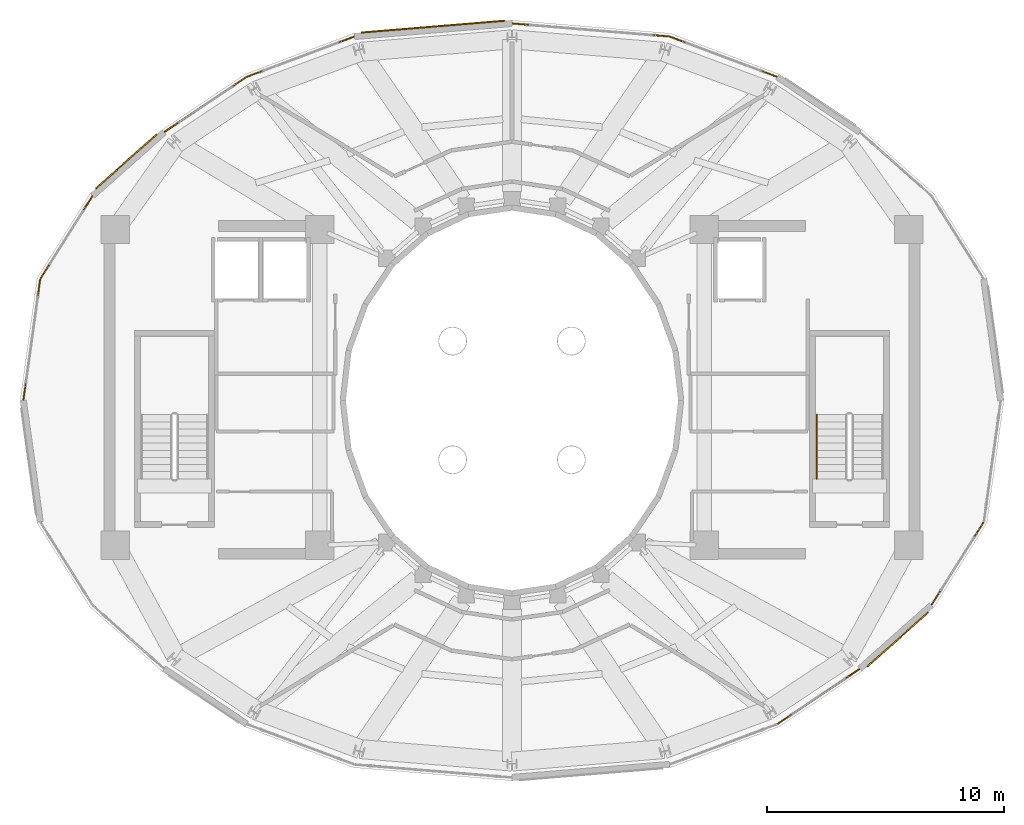
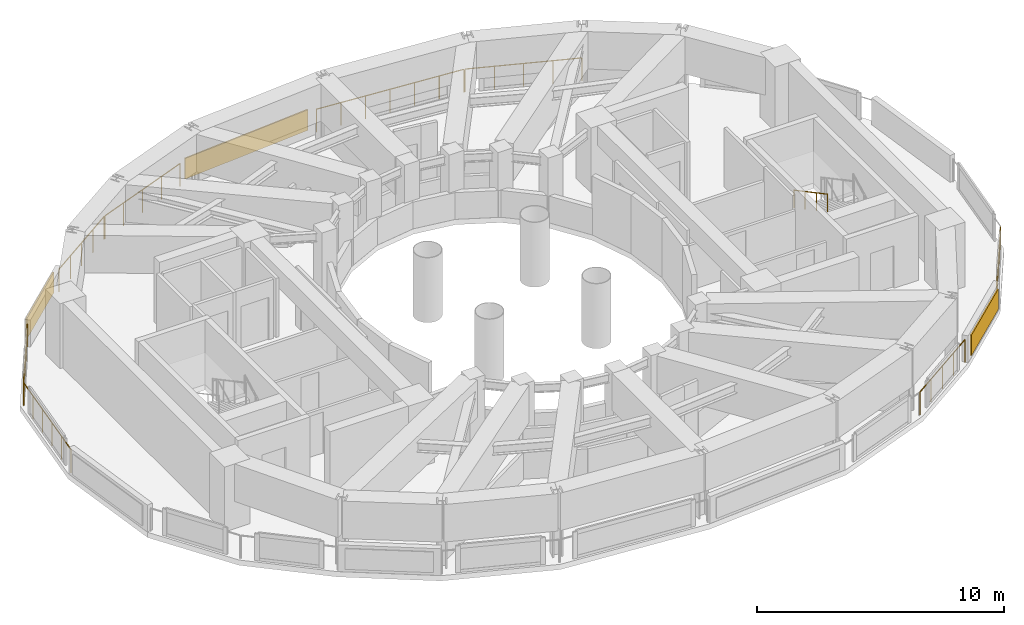
# One storey, part 17 of 18: 9 railings, 3 shading devices.
"""IFC4 building model written with IfcOpenShell, lengths in metres."""

from ifc_helpers import new_model, si_unit, direction, frame, origin, origin_2d, place, context, subcontext, project, spatial, rectangle, circle, extrude, material, layer, layer_set, type_object, element, save


model = new_model("IFC4")

# Units and contexts
model_context = context("Model", 3, precision=1e-05, world=origin(), true_north=direction((0.0, 1.0)))
body_context = subcontext(model_context, "Body", "Model", "MODEL_VIEW")
ifc_project = project(units=[si_unit("LENGTHUNIT", "METRE"), si_unit("AREAUNIT", "SQUARE_METRE"), si_unit("VOLUMEUNIT", "CUBIC_METRE"), si_unit("PLANEANGLEUNIT", "RADIAN"), si_unit("MASSUNIT", "GRAM", prefix="KILO")], contexts=[model_context])

# Site, building, storey
site_placement = place(None, origin())
site = spatial("IfcSite", under=ifc_project, at=site_placement, CompositionType="ELEMENT")
building_placement = place(site_placement, origin())
building = spatial("IfcBuilding", under=site, at=building_placement, Name="Solvane Sanctuary Tower", CompositionType="ELEMENT")
storey_placement = place(building_placement, frame((0.0, 0.0, 266.800048828125)))
storey = spatial("IfcBuildingStorey", under=building, at=storey_placement, Name="L81", CompositionType="ELEMENT", Elevation=266.800048828125)

# Railings
ifc_material_1 = material(Name="Architectural Stainless Steel 316", Category="steel")
railing_type_1 = type_object("IfcRailingType", Name="Railing GR-BALC-1150", PredefinedType="BALUSTRADE", material=ifc_material_1)
railing_1_placement = place(storey_placement, frame((43.14697265625, 36.637451171875, 0.0)))
element("IfcRailing", 1, at=railing_1_placement, inside=storey, type_object=railing_type_1, Name="L81 Crown Curtain-Wall Sill Guard 04", PredefinedType="BALUSTRADE", context=body_context, shape_type="SweptSolid", body=[
    extrude(circle(Radius=0.02392578125, at=origin_2d()), frame((0.0, 0.0, 1.1259765625), z_axis=(-0.936446352834, 0.35081081549, 0.0), x_axis=(-0.35081081549, -0.936446352834, 0.0)), (0.0, 0.0, 1.0), 4.79296875),
    extrude(circle(Radius=0.02099609375, at=origin_2d()), origin(), (0.0, 0.0, 1.0), 1.101806640625),
    extrude(circle(Radius=0.02099609375, at=origin_2d()), frame((-1.1220703125, 0.42041015625, 0.0)), (0.0, 0.0, 1.0), 1.101806640625),
    extrude(circle(Radius=0.02099609375, at=origin_2d()), frame((-2.244140625, 0.8408203125, 0.0)), (0.0, 0.0, 1.0), 1.101806640625),
    extrude(circle(Radius=0.02099609375, at=origin_2d()), frame((-3.3662109375, 1.260986328125, 0.0)), (0.0, 0.0, 1.0), 1.101806640625),
    extrude(circle(Radius=0.02099609375, at=origin_2d()), frame((-4.48828125, 1.681396484375, 0.0)), (0.0, 0.0, 1.0), 1.101806640625),
])
railing_2_placement = place(storey_placement, frame((38.6005859375, 38.331787109375, 0.0)))
element("IfcRailing", 2, at=railing_2_placement, inside=storey, type_object=railing_type_1, Name="L81 Crown Curtain-Wall Sill Guard 05", PredefinedType="BALUSTRADE", context=body_context, shape_type="SweptSolid", body=[
    extrude(circle(Radius=0.02392578125, at=origin_2d()), frame((0.0, 0.0, 1.1259765625), z_axis=(-0.996594108696, 0.082463219145, 0.0), x_axis=(-0.082463219145, -0.996594108696, 0.0)), (0.0, 0.0, 1.0), 6.59326171875),
    extrude(circle(Radius=0.02099609375, at=origin_2d()), origin(), (0.0, 0.0, 1.0), 1.101806640625),
    extrude(circle(Radius=0.02099609375, at=origin_2d()), frame((-1.09521484375, 0.090576171875, 0.0)), (0.0, 0.0, 1.0), 1.101806640625),
    extrude(circle(Radius=0.02099609375, at=origin_2d()), frame((-2.190185546875, 0.18115234375, 0.0)), (0.0, 0.0, 1.0), 1.101806640625),
    extrude(circle(Radius=0.02099609375, at=origin_2d()), frame((-3.285400390625, 0.27197265625, 0.0)), (0.0, 0.0, 1.0), 1.101806640625),
    extrude(circle(Radius=0.02099609375, at=origin_2d()), frame((-4.380615234375, 0.362548828125, 0.0)), (0.0, 0.0, 1.0), 1.101806640625),
    extrude(circle(Radius=0.02099609375, at=origin_2d()), frame((-5.4755859375, 0.453125, 0.0)), (0.0, 0.0, 1.0), 1.101806640625),
    extrude(circle(Radius=0.02099609375, at=origin_2d()), frame((-6.57080078125, 0.543701171875, 0.0)), (0.0, 0.0, 1.0), 1.101806640625),
])
railing_3_placement = place(storey_placement, frame((25.34130859375, 38.31884765625, 0.0)))
element("IfcRailing", 3, at=railing_3_placement, inside=storey, type_object=railing_type_1, Name="L81 Crown Curtain-Wall Sill Guard 07", PredefinedType="BALUSTRADE", context=body_context, shape_type="SweptSolid", body=[
    extrude(circle(Radius=0.02392578125, at=origin_2d()), frame((0.0, 0.0, 1.1259765625), z_axis=(-0.936446352834, -0.35081081549, 0.0), x_axis=(0.35081081549, -0.936446352834, 0.0)), (0.0, 0.0, 1.0), 4.79296875),
    extrude(circle(Radius=0.02099609375, at=origin_2d()), origin(), (0.0, 0.0, 1.0), 1.101806640625),
    extrude(circle(Radius=0.02099609375, at=origin_2d()), frame((-1.1220703125, -0.42041015625, 0.0)), (0.0, 0.0, 1.0), 1.101806640625),
    extrude(circle(Radius=0.02099609375, at=origin_2d()), frame((-2.244140625, -0.8408203125, 0.0)), (0.0, 0.0, 1.0), 1.101806640625),
    extrude(circle(Radius=0.02099609375, at=origin_2d()), frame((-3.3662109375, -1.260986328125, 0.0)), (0.0, 0.0, 1.0), 1.101806640625),
    extrude(circle(Radius=0.02099609375, at=origin_2d()), frame((-4.48828125, -1.681396484375, 0.0)), (0.0, 0.0, 1.0), 1.101806640625),
])
railing_4_placement = place(storey_placement, frame((20.800048828125, 36.610107421875, 0.0)))
element("IfcRailing", 4, at=railing_4_placement, inside=storey, type_object=railing_type_1, Name="L81 Crown Curtain-Wall Sill Guard 08", PredefinedType="BALUSTRADE", context=body_context, shape_type="SweptSolid", body=[
    extrude(circle(Radius=0.02392578125, at=origin_2d()), frame((0.0, 0.0, 1.1259765625), z_axis=(-0.83070748493, -0.556709147114, 0.0), x_axis=(0.556709147114, -0.83070748493, 0.0)), (0.0, 0.0, 1.0), 4.119140625),
    extrude(circle(Radius=0.02099609375, at=origin_2d()), origin(), (0.0, 0.0, 1.0), 1.101806640625),
    extrude(circle(Radius=0.02099609375, at=origin_2d()), frame((-0.85546875, -0.5732421875, 0.0)), (0.0, 0.0, 1.0), 1.101806640625),
    extrude(circle(Radius=0.02099609375, at=origin_2d()), frame((-1.7109375, -1.146484375, 0.0)), (0.0, 0.0, 1.0), 1.101806640625),
    extrude(circle(Radius=0.02099609375, at=origin_2d()), frame((-2.56640625, -1.719970703125, 0.0)), (0.0, 0.0, 1.0), 1.101806640625),
    extrude(circle(Radius=0.02099609375, at=origin_2d()), frame((-3.421875, -2.293212890625, 0.0)), (0.0, 0.0, 1.0), 1.101806640625),
])
railing_5_placement = place(storey_placement, frame((14.32177734375, 31.596435546875, 0.0)))
element("IfcRailing", 5, at=railing_5_placement, inside=storey, type_object=railing_type_1, Name="L81 Crown Curtain-Wall Sill Guard 10", PredefinedType="BALUSTRADE", context=body_context, shape_type="SweptSolid", body=[
    extrude(circle(Radius=0.02392578125, at=origin_2d()), frame((0.0, 0.0, 1.1259765625), z_axis=(-0.53263562122, -0.846344666792, 0.0), x_axis=(0.846344666792, -0.53263562122, 0.0)), (0.0, 0.0, 1.0), 4.082763671875),
    extrude(circle(Radius=0.02099609375, at=origin_2d()), origin(), (0.0, 0.0, 1.0), 1.101806640625),
    extrude(circle(Radius=0.02099609375, at=origin_2d()), frame((-0.543701171875, -0.86376953125, 0.0)), (0.0, 0.0, 1.0), 1.101806640625),
    extrude(circle(Radius=0.02099609375, at=origin_2d()), frame((-1.08740234375, -1.7275390625, 0.0)), (0.0, 0.0, 1.0), 1.101806640625),
    extrude(circle(Radius=0.02099609375, at=origin_2d()), frame((-1.630859375, -2.591552734375, 0.0)), (0.0, 0.0, 1.0), 1.101806640625),
    extrude(circle(Radius=0.02099609375, at=origin_2d()), frame((-2.174560546875, -3.455322265625, 0.0)), (0.0, 0.0, 1.0), 1.101806640625),
])
railing_6_placement = place(storey_placement, frame((12.126953125, 28.0859375, 0.0)))
element("IfcRailing", 6, at=railing_6_placement, inside=storey, type_object=railing_type_1, Name="L81 Crown Curtain-Wall Sill Guard 11", PredefinedType="BALUSTRADE", context=body_context, shape_type="SweptSolid", body=[
    extrude(circle(Radius=0.02392578125, at=origin_2d()), frame((0.0, 0.0, 1.1259765625), z_axis=(-0.13769088573, -0.990475249558, 0.0), x_axis=(0.990475249558, -0.13769088573, 0.0)), (0.0, 0.0, 1.0), 5.104736328125),
    extrude(circle(Radius=0.02099609375, at=origin_2d()), origin(), (0.0, 0.0, 1.0), 1.101806640625),
    extrude(circle(Radius=0.02099609375, at=origin_2d()), frame((-0.140625, -1.01123046875, 0.0)), (0.0, 0.0, 1.0), 1.101806640625),
    extrude(circle(Radius=0.02099609375, at=origin_2d()), frame((-0.28125, -2.0224609375, 0.0)), (0.0, 0.0, 1.0), 1.101806640625),
    extrude(circle(Radius=0.02099609375, at=origin_2d()), frame((-0.421630859375, -3.03369140625, 0.0)), (0.0, 0.0, 1.0), 1.101806640625),
    extrude(circle(Radius=0.02099609375, at=origin_2d()), frame((-0.562255859375, -4.044921875, 0.0)), (0.0, 0.0, 1.0), 1.101806640625),
    extrude(circle(Radius=0.02099609375, at=origin_2d()), frame((-0.702880859375, -5.05615234375, 0.0)), (0.0, 0.0, 1.0), 1.101806640625),
])
railing_7_placement = place(storey_placement, frame((43.199951171875, 9.389892578125, 0.0)))
element("IfcRailing", 7, at=railing_7_placement, inside=storey, type_object=railing_type_1, Name="L81 Crown Curtain-Wall Sill Guard 20", PredefinedType="BALUSTRADE", context=body_context, shape_type="SweptSolid", body=[
    extrude(circle(Radius=0.02392578125, at=origin_2d()), frame((0.0, 0.0, 1.1259765625), z_axis=(0.83070748493, 0.556709147114, 0.0), x_axis=(-0.556709147114, 0.83070748493, 0.0)), (0.0, 0.0, 1.0), 4.119140625),
    extrude(circle(Radius=0.02099609375, at=origin_2d()), origin(), (0.0, 0.0, 1.0), 1.101806640625),
    extrude(circle(Radius=0.02099609375, at=origin_2d()), frame((0.85546875, 0.5732421875, 0.0)), (0.0, 0.0, 1.0), 1.101806640625),
    extrude(circle(Radius=0.02099609375, at=origin_2d()), frame((1.7109375, 1.146484375, 0.0)), (0.0, 0.0, 1.0), 1.101806640625),
    extrude(circle(Radius=0.02099609375, at=origin_2d()), frame((2.56640625, 1.719970703125, 0.0)), (0.0, 0.0, 1.0), 1.101806640625),
    extrude(circle(Radius=0.02099609375, at=origin_2d()), frame((3.421875, 2.293212890625, 0.0)), (0.0, 0.0, 1.0), 1.101806640625),
])
railing_8_placement = place(storey_placement, frame((49.67822265625, 14.403564453125, 0.0)))
element("IfcRailing", 8, at=railing_8_placement, inside=storey, type_object=railing_type_1, Name="L81 Crown Curtain-Wall Sill Guard 22", PredefinedType="BALUSTRADE", context=body_context, shape_type="SweptSolid", body=[
    extrude(circle(Radius=0.02392578125, at=origin_2d()), frame((0.0, 0.0, 1.1259765625), z_axis=(0.53263562122, 0.846344666792, 0.0), x_axis=(-0.846344666792, 0.53263562122, 0.0)), (0.0, 0.0, 1.0), 4.082763671875),
    extrude(circle(Radius=0.02099609375, at=origin_2d()), origin(), (0.0, 0.0, 1.0), 1.101806640625),
    extrude(circle(Radius=0.02099609375, at=origin_2d()), frame((0.543701171875, 0.86376953125, 0.0)), (0.0, 0.0, 1.0), 1.101806640625),
    extrude(circle(Radius=0.02099609375, at=origin_2d()), frame((1.08740234375, 1.7275390625, 0.0)), (0.0, 0.0, 1.0), 1.101806640625),
    extrude(circle(Radius=0.02099609375, at=origin_2d()), frame((1.630859375, 2.591552734375, 0.0)), (0.0, 0.0, 1.0), 1.101806640625),
    extrude(circle(Radius=0.02099609375, at=origin_2d()), frame((2.174560546875, 3.455322265625, 0.0)), (0.0, 0.0, 1.0), 1.101806640625),
])
railing_type_2 = type_object("IfcRailingType", Name="Railing HR-STAIR-920", PredefinedType="HANDRAIL", material=ifc_material_1)
railing_9_placement = place(storey_placement, frame((44.830078125, 22.39990234375, 1.760009765625)))
element("IfcRailing", 9, at=railing_9_placement, inside=storey, type_object=railing_type_2, Name="L81 ST-2 stair handrail 2", PredefinedType="HANDRAIL", context=body_context, shape_type="SweptSolid", body=[
    extrude(circle(Radius=0.02392578125, at=origin_2d()), frame((0.0, 0.0, 0.8759765625), z_axis=(0.0, -0.882357358376, 0.470579952952), x_axis=(1.0, 0.0, 0.0)), (0.0, 0.0, 1.0), 3.059814453125),
    extrude(circle(Radius=0.02099609375, at=origin_2d()), origin(), (0.0, 0.0, 1.0), 0.851806640625),
    extrude(circle(Radius=0.02099609375, at=origin_2d()), frame((0.0, -0.89990234375, 0.47998046875)), (0.0, 0.0, 1.0), 0.851806640625),
    extrude(circle(Radius=0.02099609375, at=origin_2d()), frame((0.0, -1.800048828125, 0.9599609375)), (0.0, 0.0, 1.0), 0.851806640625),
    extrude(circle(Radius=0.02099609375, at=origin_2d()), frame((0.0, -2.699951171875, 1.43994140625)), (0.0, 0.0, 1.0), 0.851806640625),
])

# Shading devices
ifc_material_2 = material(Name="Anodised Aluminium 6063-T6", Category="aluminium")
ifc_layer = layer(ifc_material_2, 0.06005859375, Name="Anodised Aluminium 6063-T6")
ifc_layer_set = layer_set([ifc_layer], Name="Anodised Aluminium 6063-T6")
shading_device_type = type_object("IfcShadingDeviceType", Name="Shading SHD-LOUVRE", PredefinedType="JALOUSIE", material=ifc_layer_set)
shading_device_placement = place(storey_placement, frame((28.673095703125, 38.7431640625, 0.14990234375), z_axis=(0.0, 0.0, 1.0), x_axis=(-0.996594779048, -0.082455117333, 0.0)))
element("IfcShadingDevice", 10, at=shading_device_placement, inside=storey, type_object=shading_device_type, Name="L81 Crown Storm Louvre Panel 06", PredefinedType="JALOUSIE", context=body_context, shape_type="SweptSolid", body=[
    extrude(rectangle(XDim=6.05322265625, YDim=0.06005859375, at=origin_2d()), origin(), (0.0, 0.0, 1.0), 1.02001953125),
])
for number, where, z_axis, x_axis, name in (
    (11, (15.75244140625, 33.065673828125, 0.14990234375), (0.0, 0.0, 1.0), (-0.747659021718, -0.664082816555, 0.0), "L81 Crown Storm Louvre Panel 09"),
    (12, (48.24755859375, 12.934326171875, 0.14990234375), (0.0, 0.0, 1.0), (0.747659021718, 0.664082816555, 0.0), "L81 Crown Storm Louvre Panel 21"),
):
    element("IfcShadingDevice", number, at=place(storey_placement, frame(where, z_axis=z_axis, x_axis=x_axis)), inside=storey, type_object=shading_device_type, Name=name, PredefinedType="JALOUSIE", context=body_context, shape_type="SweptSolid", body=[
        extrude(rectangle(XDim=3.433349609375, YDim=0.06005859375, at=origin_2d()), origin(), (0.0, 0.0, 1.0), 1.02001953125),
    ])

save(model, "model.ifc")
